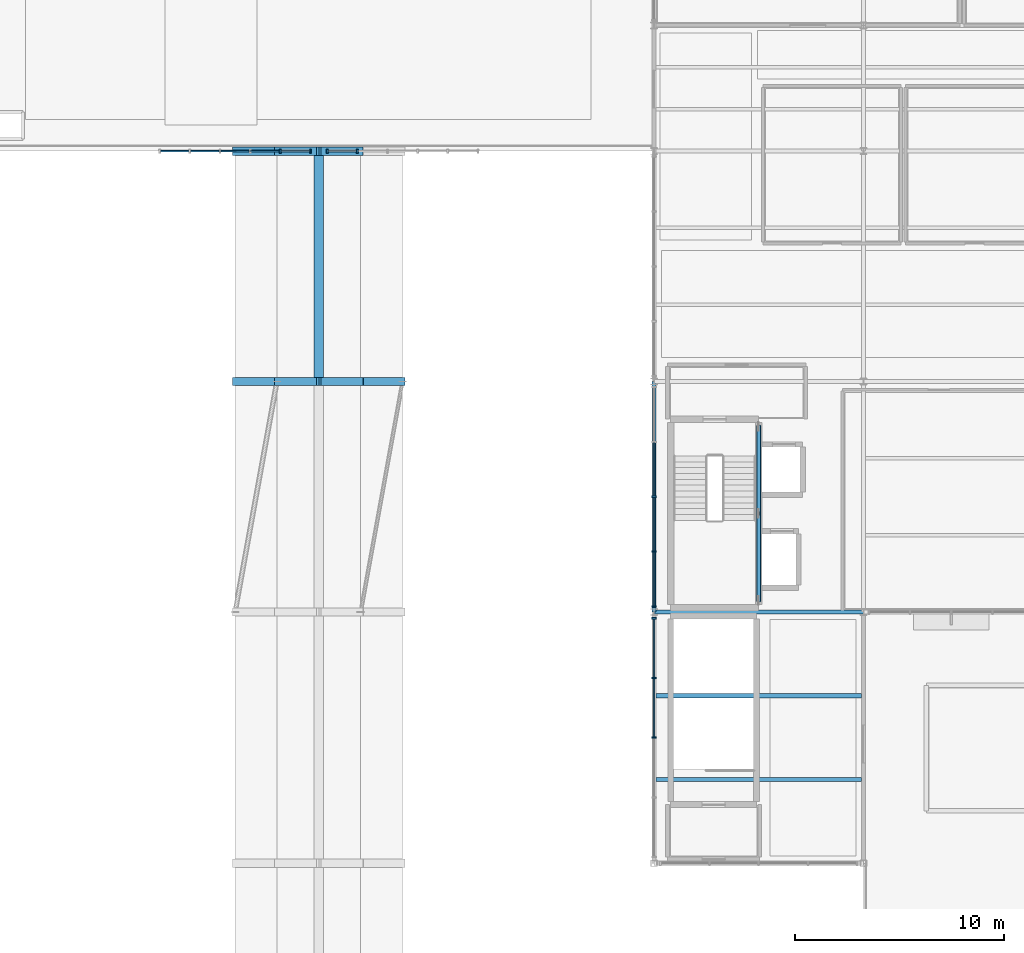
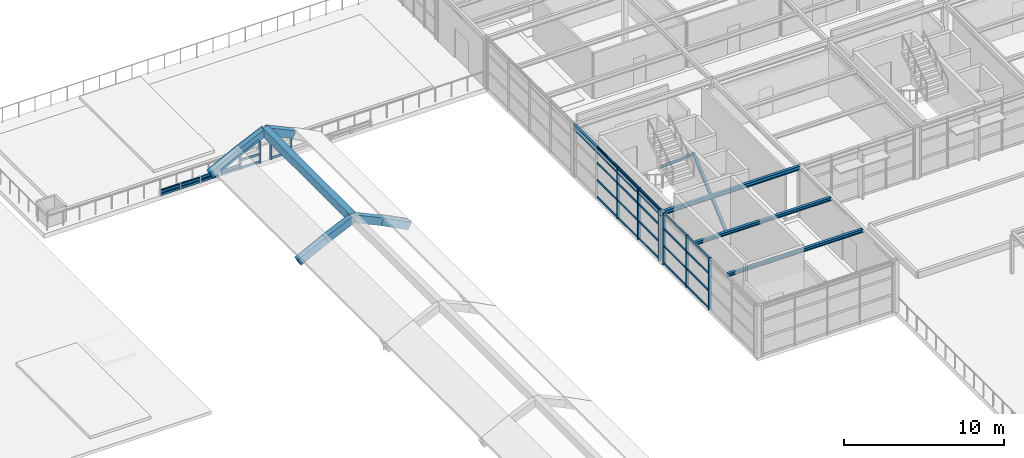
# One storey, part 21 of 49: 48 members, 12 beams, 4 elements without a shape of their own.
"""IFC4 building model written with IfcOpenShell, lengths in metres."""

from ifc_helpers import new_model, si_unit, direction, frame, origin, origin_2d, place, context, subcontext, project, spatial, rectangle, hollow_rectangle, i_section, extrude, material, layer, layer_set, material_profile, profile_set, type_object, element, aggregate, save


model = new_model("IFC4")

# Units and contexts
model_context = context("Model", 3, precision=1e-05, world=origin(), true_north=direction((0.0, 1.0)))
body_context = subcontext(model_context, "Body", "Model", "MODEL_VIEW")
ifc_project = project(units=[si_unit("LENGTHUNIT", "METRE"), si_unit("AREAUNIT", "SQUARE_METRE"), si_unit("VOLUMEUNIT", "CUBIC_METRE"), si_unit("PLANEANGLEUNIT", "RADIAN"), si_unit("MASSUNIT", "GRAM", prefix="KILO")], contexts=[model_context])

# Site, building, storey
site_placement = place(None, origin())
site = spatial("IfcSite", under=ifc_project, at=site_placement, CompositionType="ELEMENT")
building_placement = place(site_placement, origin())
building = spatial("IfcBuilding", under=site, at=building_placement, Name="Sitalva Quay Ferry Terminal", CompositionType="ELEMENT")
storey_placement = place(building_placement, frame((0.0, 0.0, 10.199951171875)))
storey = spatial("IfcBuildingStorey", under=building, at=storey_placement, Name="L03", CompositionType="ELEMENT", Elevation=10.199951171875)

# Beams
ifc_material_1 = material(Name="Concrete C40/50", Category="concrete")
ifc_material_profile_1 = material_profile(ifc_material_1, rectangle(XDim=0.39990234375, YDim=0.550048828125, at=origin_2d()), Name="RC400x550")
ifc_profile_set_1 = profile_set([ifc_material_profile_1], Name="Concrete C40/50")
beam_type_1 = type_object("IfcBeamType", Name="Beam_Arch_RC400x550", PredefinedType="BEAM", material=ifc_profile_set_1)
beam_1_placement = place(storey_placement, frame((54.0, 89.0, 0.395263671875), z_axis=(0.88942149916, 0.0, 0.457087953059), x_axis=(0.0, 1.0, 0.0)))
element("IfcBeam", 1, at=beam_1_placement, inside=storey, type_object=beam_type_1, Name="Vault V1 transverse arch rib 8.7", PredefinedType="BEAM", context=body_context, shape_type="SweptSolid", body=[
    extrude(rectangle(XDim=0.39990234375, YDim=0.550048828125, at=origin_2d()), origin(), (0.0, 0.0, 1.0), 2.24853515625),
])
for number, where, z_axis, x_axis, name in (
    (2, (56.0, 89.0, 1.4267578125), (0.908124785196, 0.0, 0.418699623253), (0.0, 1.0, 0.0), "Vault V1 transverse arch rib 8.8"),
    (3, (58.0, 89.0, 2.348876953125), (0.908124785196, 0.0, -0.418699623253), (0.0, 1.0, 0.0), "Vault V1 transverse arch rib 8.9"),
):
    element("IfcBeam", number, at=place(storey_placement, frame(where, z_axis=z_axis, x_axis=x_axis)), inside=storey, type_object=beam_type_1, Name=name, PredefinedType="BEAM", context=body_context, shape_type="SweptSolid", body=[
        extrude(rectangle(XDim=0.39990234375, YDim=0.550048828125, at=origin_2d()), origin(), (0.0, 0.0, 1.0), 2.202392578125),
    ])
for number, where, z_axis, x_axis, name in (
    (4, (60.0, 89.0, 1.423095703125), (0.88942149916, 0.0, -0.457087953059), (0.0, 1.0, 0.0), "Vault V1 transverse arch rib 8.10"),
    (5, (54.0, 100.0, 0.395263671875), (0.88942149916, 0.0, 0.457087953059), (0.0, 1.0, 0.0), "Vault V1 transverse arch rib 9.7"),
):
    element("IfcBeam", number, at=place(storey_placement, frame(where, z_axis=z_axis, x_axis=x_axis)), inside=storey, type_object=beam_type_1, Name=name, PredefinedType="BEAM", context=body_context, shape_type="SweptSolid", body=[
        extrude(rectangle(XDim=0.39990234375, YDim=0.550048828125, at=origin_2d()), origin(), (0.0, 0.0, 1.0), 2.24853515625),
    ])
for number, where, z_axis, x_axis, name in (
    (6, (56.0, 100.0, 1.4267578125), (0.908124785196, 0.0, 0.418699623253), (0.0, 1.0, 0.0), "Vault V1 transverse arch rib 9.8"),
    (7, (58.0, 100.0, 2.348876953125), (0.908124785196, 0.0, -0.418699623253), (0.0, 1.0, 0.0), "Vault V1 transverse arch rib 9.9"),
):
    element("IfcBeam", number, at=place(storey_placement, frame(where, z_axis=z_axis, x_axis=x_axis)), inside=storey, type_object=beam_type_1, Name=name, PredefinedType="BEAM", context=body_context, shape_type="SweptSolid", body=[
        extrude(rectangle(XDim=0.39990234375, YDim=0.550048828125, at=origin_2d()), origin(), (0.0, 0.0, 1.0), 2.202392578125),
    ])
ifc_material_2 = material(Name="Concrete C40/50", Category="concrete")
ifc_material_profile_2 = material_profile(ifc_material_2, rectangle(XDim=0.449951171875, YDim=0.64990234375, at=origin_2d()), Name="RC450x650")
ifc_profile_set_2 = profile_set([ifc_material_profile_2], Name="Concrete C40/50")
beam_type_2 = type_object("IfcBeamType", Name="Beam_Ridge_RC450x650", PredefinedType="BEAM", material=ifc_profile_set_2)
beam_2_placement = place(storey_placement, frame((58.0, 89.0, 2.31494140625), z_axis=(0.0, 1.0, 0.0), x_axis=(-1.0, 0.0, 0.0)))
element("IfcBeam", 8, at=beam_2_placement, inside=storey, type_object=beam_type_2, Name="Vault V1 pointed ridge beam bay 8", PredefinedType="BEAM", context=body_context, shape_type="SweptSolid", body=[
    extrude(rectangle(XDim=0.449951171875, YDim=0.64990234375, at=origin_2d()), origin(), (0.0, 0.0, 1.0), 11.0),
])
ifc_material_3 = material(Name="Structural Steel S355JR", Category="steel")
ifc_material_profile_3 = material_profile(ifc_material_3, i_section(OverallWidth=0.202880859375, OverallDepth=0.302978515625, WebThickness=0.007568359375, FlangeThickness=0.01318359375, FilletRadius=0.011962890625, at=origin_2d()), Name="W310x60")
ifc_profile_set_3 = profile_set([ifc_material_profile_3], Name="Structural Steel S355JR")
beam_type_3 = type_object("IfcBeamType", Name="Beam_W310x60", PredefinedType="BEAM", material=ifc_profile_set_3)
beam_3_placement = place(storey_placement, frame((74.0, 78.0, 3.7685546875), z_axis=(1.0, 0.0, 0.0), x_axis=(0.0, 1.0, 0.0)))
element("IfcBeam", 9, at=beam_3_placement, inside=storey, type_object=beam_type_3, Name="L03 Primary X girder 1197", PredefinedType="BEAM", context=body_context, shape_type="SweptSolid", body=[
    extrude(i_section(OverallWidth=0.202880859375, OverallDepth=0.302978515625, WebThickness=0.007568359375, FlangeThickness=0.01318359375, FilletRadius=0.011962890625, at=origin_2d()), origin(), (0.0, 0.0, 1.0), 10.0),
])
ifc_material_4 = material(Name="Structural Steel S355JR", Category="steel")
ifc_material_profile_4 = material_profile(ifc_material_4, i_section(OverallWidth=0.178955078125, OverallDepth=0.409912109375, WebThickness=0.0087890625, FlangeThickness=0.014404296875, FilletRadius=0.012939453125, at=origin_2d()), Name="W410x67")
ifc_profile_set_4 = profile_set([ifc_material_profile_4], Name="Structural Steel S355JR")
beam_type_4 = type_object("IfcBeamType", Name="Beam_W410x67", PredefinedType="BEAM", material=ifc_profile_set_4)
beam_4_placement = place(storey_placement, frame((74.0, 78.0, 3.715087890625), z_axis=(0.0, 1.0, 0.0), x_axis=(-1.0, 0.0, 0.0)))
element("IfcBeam", 10, at=beam_4_placement, inside=storey, type_object=beam_type_4, Name="L03 Primary Y girder 1225", PredefinedType="BEAM", context=body_context, shape_type="SweptSolid", body=[
    extrude(i_section(OverallWidth=0.178955078125, OverallDepth=0.409912109375, WebThickness=0.0087890625, FlangeThickness=0.014404296875, FilletRadius=0.012939453125, at=origin_2d()), origin(), (0.0, 0.0, 1.0), 11.0),
])

# Members
ifc_material_5 = material(Name="Structural Steel S355JR", Category="steel")
ifc_material_profile_5 = material_profile(ifc_material_5, hollow_rectangle(XDim=0.199951171875, YDim=0.199951171875, WallThickness=0.010009765625, InnerFilletRadius=0.010009765625, OuterFilletRadius=0.02001953125, at=origin_2d()), Name="SHS200x200x10")
ifc_profile_set_5 = profile_set([ifc_material_profile_5], Name="Structural Steel S355JR")
member_type_1 = type_object("IfcMemberType", Name="Brace_SHS200x10", PredefinedType="BRACE", material=ifc_profile_set_5)
member_1_placement = place(storey_placement, frame((79.0, 78.550048828125, 0.150146484375), z_axis=(0.0, 0.759912605464, 0.650025254938), x_axis=(-1.0, 0.0, 0.0)))
element("IfcMember", 11, at=member_1_placement, inside=storey, type_object=member_type_1, Name="Braced frame BF2 L03 chevron A", PredefinedType="BRACE", context=body_context, shape_type="SweptSolid", body=[
    extrude(hollow_rectangle(XDim=0.199951171875, YDim=0.199951171875, WallThickness=0.010009765625, InnerFilletRadius=0.010009765625, OuterFilletRadius=0.02001953125, at=origin_2d()), origin(), (0.0, 0.0, 1.0), 5.4609375),
])
member_2_placement = place(storey_placement, frame((79.0, 82.699951171875, 3.699951171875), z_axis=(0.0, 0.759931494254, -0.650003172331), x_axis=(-1.0, 0.0, 0.0)))
element("IfcMember", 12, at=member_2_placement, inside=storey, type_object=member_type_1, Name="Braced frame BF2 L03 chevron B", PredefinedType="BRACE", context=body_context, shape_type="SweptSolid", body=[
    extrude(hollow_rectangle(XDim=0.199951171875, YDim=0.199951171875, WallThickness=0.010009765625, InnerFilletRadius=0.010009765625, OuterFilletRadius=0.02001953125, at=origin_2d()), origin(), (0.0, 0.0, 1.0), 5.461181640625),
])

# Beams
ifc_material_6 = material(Name="Structural Steel S355JR", Category="steel")
ifc_material_profile_6 = material_profile(ifc_material_6, i_section(OverallWidth=0.201904296875, OverallDepth=0.2470703125, WebThickness=0.00732421875, FlangeThickness=0.010986328125, FilletRadius=0.010986328125, at=origin_2d()), Name="W250x49")
ifc_profile_set_6 = profile_set([ifc_material_profile_6], Name="Structural Steel S355JR")
beam_type_5 = type_object("IfcBeamType", Name="Joist_W250x49", PredefinedType="JOIST", material=ifc_profile_set_6)
for number, where, z_axis, x_axis, name in (
    (13, (74.10009765625, 70.0, 3.836669921875), (1.0, 0.0, 0.0), (0.0, 1.0, 0.0), "L03 Secondary joist 1200"),
    (14, (74.10009765625, 74.0, 3.836669921875), (1.0, 0.0, 0.0), (0.0, 1.0, 0.0), "L03 Secondary joist 1201"),
):
    element("IfcBeam", number, at=place(storey_placement, frame(where, z_axis=z_axis, x_axis=x_axis)), inside=storey, type_object=beam_type_5, Name=name, PredefinedType="JOIST", context=body_context, shape_type="SweptSolid", body=[
        extrude(i_section(OverallWidth=0.201904296875, OverallDepth=0.2470703125, WebThickness=0.00732421875, FlangeThickness=0.010986328125, FilletRadius=0.010986328125, at=origin_2d()), origin(), (0.0, 0.0, 1.0), 9.7998046875),
    ])

# Curtain wall, members
ifc_material_7 = material(Name="Anodised Aluminium & Low-E Glazing", Category="aluminium")
ifc_layer_1 = layer(ifc_material_7, 0.159912109375)
ifc_layer_set_1 = layer_set([ifc_layer_1], Name="Anodised Aluminium & Low-E Glazing")
curtain_wall_type_1 = type_object("IfcCurtainWallType", Name="CW_Office_Unitised", PredefinedType="USERDEFINED", material=ifc_layer_set_1)
curtain_wall_1_placement = place(storey_placement, origin())
curtain_wall_1 = element("IfcCurtainWall", 15, at=curtain_wall_1_placement, inside=storey, type_object=curtain_wall_type_1, Name="L03 north spine west glazing (CW-L03-091)", ObjectType="CURTAIN_WALL", PredefinedType="USERDEFINED")
ifc_material_8 = material(Name="Anodised Aluminium 6063-T6", Category="aluminium")
ifc_material_profile_7 = material_profile(ifc_material_8, rectangle(XDim=0.074951171875, YDim=0.219970703125, at=origin_2d()), Name="ALU75x220")
ifc_profile_set_7 = profile_set([ifc_material_profile_7], Name="Anodised Aluminium 6063-T6")
member_type_2 = type_object("IfcMemberType", Name="Mullion_Alu_75x160", PredefinedType="MULLION", material=ifc_profile_set_7)
member_3_placement = place(storey_placement, frame((74.0, 72.0, 0.0), z_axis=(0.0, 0.0, 1.0), x_axis=(0.0, 1.0, 0.0)))
member_3 = element("IfcMember", 16, at=member_3_placement, type_object=member_type_2, Name="CW-L03-091-M2", PredefinedType="MULLION", context=body_context, shape_type="SweptSolid", body=[
    extrude(rectangle(XDim=0.074951171875, YDim=0.219970703125, at=origin_2d()), origin(), (0.0, 0.0, 1.0), 3.9599609375),
])
member_4_placement = place(storey_placement, frame((74.0, 74.85009765625, 0.0), z_axis=(0.0, 0.0, 1.0), x_axis=(0.0, 1.0, 0.0)))
member_4 = element("IfcMember", 17, at=member_4_placement, type_object=member_type_2, Name="CW-L03-091-M3", PredefinedType="MULLION", context=body_context, shape_type="SweptSolid", body=[
    extrude(rectangle(XDim=0.074951171875, YDim=0.219970703125, at=origin_2d()), origin(), (0.0, 0.0, 1.0), 3.9599609375),
])
member_5_placement = place(storey_placement, frame((74.0, 77.699951171875, 0.0), z_axis=(0.0, 0.0, 1.0), x_axis=(0.0, 1.0, 0.0)))
member_5 = element("IfcMember", 18, at=member_5_placement, type_object=member_type_2, Name="CW-L03-091-M4", PredefinedType="MULLION", context=body_context, shape_type="SweptSolid", body=[
    extrude(rectangle(XDim=0.074951171875, YDim=0.219970703125, at=origin_2d()), origin(), (0.0, 0.0, 1.0), 3.9599609375),
])

curtain_wall_2_placement = place(storey_placement, origin())
curtain_wall_2 = element("IfcCurtainWall", 19, at=curtain_wall_2_placement, inside=storey, type_object=curtain_wall_type_1, Name="L03 maritime bridge west glazing (CW-L03-124)", ObjectType="CURTAIN_WALL", PredefinedType="USERDEFINED")
member_6_placement = place(storey_placement, frame((74.0, 78.260009765625, 0.0), z_axis=(0.0, 0.0, 1.0), x_axis=(0.0, 1.0, 0.0)))
member_6 = element("IfcMember", 20, at=member_6_placement, type_object=member_type_2, Name="CW-L03-124-M0", PredefinedType="MULLION", context=body_context, shape_type="SweptSolid", body=[
    extrude(rectangle(XDim=0.074951171875, YDim=0.219970703125, at=origin_2d()), origin(), (0.0, 0.0, 1.0), 3.920166015625),
])
member_7_placement = place(storey_placement, frame((74.0, 80.8798828125, 0.0), z_axis=(0.0, 0.0, 1.0), x_axis=(0.0, 1.0, 0.0)))
member_7 = element("IfcMember", 21, at=member_7_placement, type_object=member_type_2, Name="CW-L03-124-M1", PredefinedType="MULLION", context=body_context, shape_type="SweptSolid", body=[
    extrude(rectangle(XDim=0.074951171875, YDim=0.219970703125, at=origin_2d()), origin(), (0.0, 0.0, 1.0), 3.920166015625),
])
member_8_placement = place(storey_placement, frame((74.0, 83.5, 0.0), z_axis=(0.0, 0.0, 1.0), x_axis=(0.0, 1.0, 0.0)))
member_8 = element("IfcMember", 22, at=member_8_placement, type_object=member_type_2, Name="CW-L03-124-M2", PredefinedType="MULLION", context=body_context, shape_type="SweptSolid", body=[
    extrude(rectangle(XDim=0.074951171875, YDim=0.219970703125, at=origin_2d()), origin(), (0.0, 0.0, 1.0), 3.920166015625),
])

ifc_material_9 = material(Name="Anodised Aluminium & Low-E Glazing", Category="aluminium")
ifc_layer_2 = layer(ifc_material_9, 0.159912109375)
ifc_layer_set_2 = layer_set([ifc_layer_2], Name="Anodised Aluminium & Low-E Glazing")
curtain_wall_type_2 = type_object("IfcCurtainWallType", Name="CW_Gable_Unitised", PredefinedType="USERDEFINED", material=ifc_layer_set_2)
curtain_wall_3_placement = place(storey_placement, origin())
curtain_wall_3 = element("IfcCurtainWall", 23, at=curtain_wall_3_placement, inside=storey, type_object=curtain_wall_type_2, Name="V1 north clerestory pointed gable (CW-L03-010)", ObjectType="CURTAIN_WALL", PredefinedType="USERDEFINED")
ifc_material_10 = material(Name="Anodised Aluminium 6063-T6", Category="aluminium")
ifc_material_profile_8 = material_profile(ifc_material_10, rectangle(XDim=0.090087890625, YDim=0.199951171875, at=origin_2d()), Name="ALU90x200")
ifc_profile_set_8 = profile_set([ifc_material_profile_8], Name="Anodised Aluminium 6063-T6")
member_type_3 = type_object("IfcMemberType", Name="Mullion_Alu_90x200", PredefinedType="MULLION", material=ifc_profile_set_8)
member_9_placement = place(storey_placement, frame((56.159912109375, 100.0, 0.0), z_axis=(0.0, 0.0, 1.0), x_axis=(1.0, 0.0, 0.0)))
member_9 = element("IfcMember", 24, at=member_9_placement, type_object=member_type_3, Name="CW-L03-010-M4", PredefinedType="MULLION", context=body_context, shape_type="SweptSolid", body=[
    extrude(rectangle(XDim=0.090087890625, YDim=0.199951171875, at=origin_2d()), origin(), (0.0, 0.0, 1.0), 1.201904296875),
])
member_10_placement = place(storey_placement, frame((57.60009765625, 100.0, 0.0), z_axis=(0.0, 0.0, 1.0), x_axis=(1.0, 0.0, 0.0)))
member_10 = element("IfcMember", 25, at=member_10_placement, type_object=member_type_3, Name="CW-L03-010-M5", PredefinedType="MULLION", context=body_context, shape_type="SweptSolid", body=[
    extrude(rectangle(XDim=0.090087890625, YDim=0.199951171875, at=origin_2d()), origin(), (0.0, 0.0, 1.0), 1.86572265625),
])

curtain_wall_4_placement = place(storey_placement, origin())
curtain_wall_4 = element("IfcCurtainWall", 26, at=curtain_wall_4_placement, inside=storey, type_object=curtain_wall_type_2, Name="V1 north clerestory pointed gable (CW-L03-011)", ObjectType="CURTAIN_WALL", PredefinedType="USERDEFINED")
member_11_placement = place(storey_placement, frame((58.39990234375, 100.0, 0.0), z_axis=(0.0, 0.0, 1.0), x_axis=(1.0, 0.0, 0.0)))
member_11 = element("IfcMember", 27, at=member_11_placement, type_object=member_type_3, Name="CW-L03-011-M0", PredefinedType="MULLION", context=body_context, shape_type="SweptSolid", body=[
    extrude(rectangle(XDim=0.090087890625, YDim=0.199951171875, at=origin_2d()), origin(), (0.0, 0.0, 1.0), 1.86572265625),
])
member_12_placement = place(storey_placement, frame((59.840087890625, 100.0, 0.0), z_axis=(0.0, 0.0, 1.0), x_axis=(1.0, 0.0, 0.0)))
member_12 = element("IfcMember", 28, at=member_12_placement, type_object=member_type_3, Name="CW-L03-011-M1", PredefinedType="MULLION", context=body_context, shape_type="SweptSolid", body=[
    extrude(rectangle(XDim=0.090087890625, YDim=0.199951171875, at=origin_2d()), origin(), (0.0, 0.0, 1.0), 1.201904296875),
])

# Member
ifc_material_11 = material(Name="Anodised Aluminium 6063-T6", Category="aluminium")
ifc_material_profile_9 = material_profile(ifc_material_11, rectangle(XDim=0.074951171875, YDim=0.14990234375, at=origin_2d()), Name="ALU75x150")
ifc_profile_set_9 = profile_set([ifc_material_profile_9], Name="Anodised Aluminium 6063-T6")
member_type_4 = type_object("IfcMemberType", Name="Transom_Alu_75x140", PredefinedType="MULLION", material=ifc_profile_set_9)
member_13_placement = place(storey_placement, frame((74.0, 72.03759765625, 0.074951171875), z_axis=(0.0, 1.0, 0.0), x_axis=(-1.0, 0.0, 0.0)))
member_13 = element("IfcMember", 29, at=member_13_placement, type_object=member_type_4, Name="CW-L03-091-T2-0", ObjectType="TRANSOM", PredefinedType="USERDEFINED", context=body_context, shape_type="SweptSolid", body=[
    extrude(rectangle(XDim=0.074951171875, YDim=0.14990234375, at=origin_2d()), origin(), (0.0, 0.0, 1.0), 2.77490234375),
])

member_14_placement = place(storey_placement, frame((74.0, 72.03759765625, 1.39501953125), z_axis=(0.0, 1.0, 0.0), x_axis=(-1.0, 0.0, 0.0)))
member_14 = element("IfcMember", 30, at=member_14_placement, type_object=member_type_4, Name="CW-L03-091-T2-1", ObjectType="TRANSOM", PredefinedType="USERDEFINED", context=body_context, shape_type="SweptSolid", body=[
    extrude(rectangle(XDim=0.074951171875, YDim=0.14990234375, at=origin_2d()), origin(), (0.0, 0.0, 1.0), 2.77490234375),
])

member_15_placement = place(storey_placement, frame((74.0, 72.03759765625, 2.715087890625), z_axis=(0.0, 1.0, 0.0), x_axis=(-1.0, 0.0, 0.0)))
member_15 = element("IfcMember", 31, at=member_15_placement, type_object=member_type_4, Name="CW-L03-091-T2-2", ObjectType="TRANSOM", PredefinedType="USERDEFINED", context=body_context, shape_type="SweptSolid", body=[
    extrude(rectangle(XDim=0.074951171875, YDim=0.14990234375, at=origin_2d()), origin(), (0.0, 0.0, 1.0), 2.77490234375),
])

member_16_placement = place(storey_placement, frame((74.0, 72.03759765625, 3.885009765625), z_axis=(0.0, 1.0, 0.0), x_axis=(-1.0, 0.0, 0.0)))
member_16 = element("IfcMember", 32, at=member_16_placement, type_object=member_type_4, Name="CW-L03-091-T2-3", ObjectType="TRANSOM", PredefinedType="USERDEFINED", context=body_context, shape_type="SweptSolid", body=[
    extrude(rectangle(XDim=0.074951171875, YDim=0.14990234375, at=origin_2d()), origin(), (0.0, 0.0, 1.0), 2.77490234375),
])

member_17_placement = place(storey_placement, frame((74.0, 74.887451171875, 0.074951171875), z_axis=(0.0, 1.0, 0.0), x_axis=(-1.0, 0.0, 0.0)))
member_17 = element("IfcMember", 33, at=member_17_placement, type_object=member_type_4, Name="CW-L03-091-T3-0", ObjectType="TRANSOM", PredefinedType="USERDEFINED", context=body_context, shape_type="SweptSolid", body=[
    extrude(rectangle(XDim=0.074951171875, YDim=0.14990234375, at=origin_2d()), origin(), (0.0, 0.0, 1.0), 2.775146484375),
])

member_18_placement = place(storey_placement, frame((74.0, 74.887451171875, 1.39501953125), z_axis=(0.0, 1.0, 0.0), x_axis=(-1.0, 0.0, 0.0)))
member_18 = element("IfcMember", 34, at=member_18_placement, type_object=member_type_4, Name="CW-L03-091-T3-1", ObjectType="TRANSOM", PredefinedType="USERDEFINED", context=body_context, shape_type="SweptSolid", body=[
    extrude(rectangle(XDim=0.074951171875, YDim=0.14990234375, at=origin_2d()), origin(), (0.0, 0.0, 1.0), 2.775146484375),
])

member_19_placement = place(storey_placement, frame((74.0, 74.887451171875, 2.715087890625), z_axis=(0.0, 1.0, 0.0), x_axis=(-1.0, 0.0, 0.0)))
member_19 = element("IfcMember", 35, at=member_19_placement, type_object=member_type_4, Name="CW-L03-091-T3-2", ObjectType="TRANSOM", PredefinedType="USERDEFINED", context=body_context, shape_type="SweptSolid", body=[
    extrude(rectangle(XDim=0.074951171875, YDim=0.14990234375, at=origin_2d()), origin(), (0.0, 0.0, 1.0), 2.775146484375),
])

member_20_placement = place(storey_placement, frame((74.0, 74.887451171875, 3.885009765625), z_axis=(0.0, 1.0, 0.0), x_axis=(-1.0, 0.0, 0.0)))
member_20 = element("IfcMember", 36, at=member_20_placement, type_object=member_type_4, Name="CW-L03-091-T3-3", ObjectType="TRANSOM", PredefinedType="USERDEFINED", context=body_context, shape_type="SweptSolid", body=[
    extrude(rectangle(XDim=0.074951171875, YDim=0.14990234375, at=origin_2d()), origin(), (0.0, 0.0, 1.0), 2.775146484375),
])

aggregate(curtain_wall_1, [member_3, member_4, member_5, member_13, member_14, member_15, member_16, member_17, member_18, member_19, member_20])

member_21_placement = place(storey_placement, frame((74.0, 78.297607421875, 0.074951171875), z_axis=(0.0, 1.0, 0.0), x_axis=(-1.0, 0.0, 0.0)))
member_21 = element("IfcMember", 37, at=member_21_placement, type_object=member_type_4, Name="CW-L03-124-T0-0", ObjectType="TRANSOM", PredefinedType="USERDEFINED", context=body_context, shape_type="SweptSolid", body=[
    extrude(rectangle(XDim=0.074951171875, YDim=0.14990234375, at=origin_2d()), origin(), (0.0, 0.0, 1.0), 2.544921875),
])

member_22_placement = place(storey_placement, frame((74.0, 78.297607421875, 1.3818359375), z_axis=(0.0, 1.0, 0.0), x_axis=(-1.0, 0.0, 0.0)))
member_22 = element("IfcMember", 38, at=member_22_placement, type_object=member_type_4, Name="CW-L03-124-T0-1", ObjectType="TRANSOM", PredefinedType="USERDEFINED", context=body_context, shape_type="SweptSolid", body=[
    extrude(rectangle(XDim=0.074951171875, YDim=0.14990234375, at=origin_2d()), origin(), (0.0, 0.0, 1.0), 2.544921875),
])

member_23_placement = place(storey_placement, frame((74.0, 78.297607421875, 2.6884765625), z_axis=(0.0, 1.0, 0.0), x_axis=(-1.0, 0.0, 0.0)))
member_23 = element("IfcMember", 39, at=member_23_placement, type_object=member_type_4, Name="CW-L03-124-T0-2", ObjectType="TRANSOM", PredefinedType="USERDEFINED", context=body_context, shape_type="SweptSolid", body=[
    extrude(rectangle(XDim=0.074951171875, YDim=0.14990234375, at=origin_2d()), origin(), (0.0, 0.0, 1.0), 2.544921875),
])

member_24_placement = place(storey_placement, frame((74.0, 78.297607421875, 3.844970703125), z_axis=(0.0, 1.0, 0.0), x_axis=(-1.0, 0.0, 0.0)))
member_24 = element("IfcMember", 40, at=member_24_placement, type_object=member_type_4, Name="CW-L03-124-T0-3", ObjectType="TRANSOM", PredefinedType="USERDEFINED", context=body_context, shape_type="SweptSolid", body=[
    extrude(rectangle(XDim=0.074951171875, YDim=0.14990234375, at=origin_2d()), origin(), (0.0, 0.0, 1.0), 2.544921875),
])

member_25_placement = place(storey_placement, frame((74.0, 80.91748046875, 0.074951171875), z_axis=(0.0, 1.0, 0.0), x_axis=(-1.0, 0.0, 0.0)))
member_25 = element("IfcMember", 41, at=member_25_placement, type_object=member_type_4, Name="CW-L03-124-T1-0", ObjectType="TRANSOM", PredefinedType="USERDEFINED", context=body_context, shape_type="SweptSolid", body=[
    extrude(rectangle(XDim=0.074951171875, YDim=0.14990234375, at=origin_2d()), origin(), (0.0, 0.0, 1.0), 2.544921875),
])

member_26_placement = place(storey_placement, frame((74.0, 80.91748046875, 1.3818359375), z_axis=(0.0, 1.0, 0.0), x_axis=(-1.0, 0.0, 0.0)))
member_26 = element("IfcMember", 42, at=member_26_placement, type_object=member_type_4, Name="CW-L03-124-T1-1", ObjectType="TRANSOM", PredefinedType="USERDEFINED", context=body_context, shape_type="SweptSolid", body=[
    extrude(rectangle(XDim=0.074951171875, YDim=0.14990234375, at=origin_2d()), origin(), (0.0, 0.0, 1.0), 2.544921875),
])

member_27_placement = place(storey_placement, frame((74.0, 80.91748046875, 2.6884765625), z_axis=(0.0, 1.0, 0.0), x_axis=(-1.0, 0.0, 0.0)))
member_27 = element("IfcMember", 43, at=member_27_placement, type_object=member_type_4, Name="CW-L03-124-T1-2", ObjectType="TRANSOM", PredefinedType="USERDEFINED", context=body_context, shape_type="SweptSolid", body=[
    extrude(rectangle(XDim=0.074951171875, YDim=0.14990234375, at=origin_2d()), origin(), (0.0, 0.0, 1.0), 2.544921875),
])

member_28_placement = place(storey_placement, frame((74.0, 80.91748046875, 3.844970703125), z_axis=(0.0, 1.0, 0.0), x_axis=(-1.0, 0.0, 0.0)))
member_28 = element("IfcMember", 44, at=member_28_placement, type_object=member_type_4, Name="CW-L03-124-T1-3", ObjectType="TRANSOM", PredefinedType="USERDEFINED", context=body_context, shape_type="SweptSolid", body=[
    extrude(rectangle(XDim=0.074951171875, YDim=0.14990234375, at=origin_2d()), origin(), (0.0, 0.0, 1.0), 2.544921875),
])

member_29_placement = place(storey_placement, frame((74.0, 83.53759765625, 0.074951171875), z_axis=(0.0, 1.0, 0.0), x_axis=(-1.0, 0.0, 0.0)))
member_29 = element("IfcMember", 45, at=member_29_placement, type_object=member_type_4, Name="CW-L03-124-T2-0", ObjectType="TRANSOM", PredefinedType="USERDEFINED", context=body_context, shape_type="SweptSolid", body=[
    extrude(rectangle(XDim=0.074951171875, YDim=0.14990234375, at=origin_2d()), origin(), (0.0, 0.0, 1.0), 2.544921875),
])

member_30_placement = place(storey_placement, frame((74.0, 83.53759765625, 1.3818359375), z_axis=(0.0, 1.0, 0.0), x_axis=(-1.0, 0.0, 0.0)))
member_30 = element("IfcMember", 46, at=member_30_placement, type_object=member_type_4, Name="CW-L03-124-T2-1", ObjectType="TRANSOM", PredefinedType="USERDEFINED", context=body_context, shape_type="SweptSolid", body=[
    extrude(rectangle(XDim=0.074951171875, YDim=0.14990234375, at=origin_2d()), origin(), (0.0, 0.0, 1.0), 2.544921875),
])

member_31_placement = place(storey_placement, frame((74.0, 83.53759765625, 2.6884765625), z_axis=(0.0, 1.0, 0.0), x_axis=(-1.0, 0.0, 0.0)))
member_31 = element("IfcMember", 47, at=member_31_placement, type_object=member_type_4, Name="CW-L03-124-T2-2", ObjectType="TRANSOM", PredefinedType="USERDEFINED", context=body_context, shape_type="SweptSolid", body=[
    extrude(rectangle(XDim=0.074951171875, YDim=0.14990234375, at=origin_2d()), origin(), (0.0, 0.0, 1.0), 2.544921875),
])

member_32_placement = place(storey_placement, frame((74.0, 83.53759765625, 3.844970703125), z_axis=(0.0, 1.0, 0.0), x_axis=(-1.0, 0.0, 0.0)))
member_32 = element("IfcMember", 48, at=member_32_placement, type_object=member_type_4, Name="CW-L03-124-T2-3", ObjectType="TRANSOM", PredefinedType="USERDEFINED", context=body_context, shape_type="SweptSolid", body=[
    extrude(rectangle(XDim=0.074951171875, YDim=0.14990234375, at=origin_2d()), origin(), (0.0, 0.0, 1.0), 2.544921875),
])

aggregate(curtain_wall_2, [member_6, member_7, member_8, member_21, member_22, member_23, member_24, member_25, member_26, member_27, member_28, member_29, member_30, member_31, member_32])

ifc_material_12 = material(Name="Anodised Aluminium 6063-T6", Category="aluminium")
ifc_material_profile_10 = material_profile(ifc_material_12, rectangle(XDim=0.080078125, YDim=0.1650390625, at=origin_2d()), Name="ALU80x165")
ifc_profile_set_10 = profile_set([ifc_material_profile_10], Name="Anodised Aluminium 6063-T6")
member_type_5 = type_object("IfcMemberType", Name="Transom_Alu_80x165", PredefinedType="MULLION", material=ifc_profile_set_10)
member_33_placement = place(storey_placement, frame((50.445068359375, 100.0, 0.08251953125), z_axis=(1.0, 0.0, 0.0), x_axis=(0.0, 1.0, 0.0)))
member_33 = element("IfcMember", 49, at=member_33_placement, type_object=member_type_5, Name="CW-L03-010-T0-0", ObjectType="TRANSOM", PredefinedType="USERDEFINED", context=body_context, shape_type="SweptSolid", body=[
    extrude(rectangle(XDim=0.080078125, YDim=0.1650390625, at=origin_2d()), origin(), (0.0, 0.0, 1.0), 1.349853515625),
])

member_34_placement = place(storey_placement, frame((50.445068359375, 100.0, 0.3076171875), z_axis=(1.0, 0.0, 0.0), x_axis=(0.0, 1.0, 0.0)))
member_34 = element("IfcMember", 50, at=member_34_placement, type_object=member_type_5, Name="CW-L03-010-T0-1", ObjectType="TRANSOM", PredefinedType="USERDEFINED", context=body_context, shape_type="SweptSolid", body=[
    extrude(rectangle(XDim=0.080078125, YDim=0.1650390625, at=origin_2d()), origin(), (0.0, 0.0, 1.0), 1.349853515625),
])

member_35_placement = place(storey_placement, frame((50.445068359375, 100.0, 0.367431640625), z_axis=(1.0, 0.0, 0.0), x_axis=(0.0, 1.0, 0.0)))
member_35 = element("IfcMember", 51, at=member_35_placement, type_object=member_type_5, Name="CW-L03-010-T0-2", ObjectType="TRANSOM", PredefinedType="USERDEFINED", context=body_context, shape_type="SweptSolid", body=[
    extrude(rectangle(XDim=0.080078125, YDim=0.1650390625, at=origin_2d()), origin(), (0.0, 0.0, 1.0), 1.349853515625),
])

member_36_placement = place(storey_placement, frame((51.885009765625, 100.0, 0.08251953125), z_axis=(1.0, 0.0, 0.0), x_axis=(0.0, 1.0, 0.0)))
member_36 = element("IfcMember", 52, at=member_36_placement, type_object=member_type_5, Name="CW-L03-010-T1-0", ObjectType="TRANSOM", PredefinedType="USERDEFINED", context=body_context, shape_type="SweptSolid", body=[
    extrude(rectangle(XDim=0.080078125, YDim=0.1650390625, at=origin_2d()), origin(), (0.0, 0.0, 1.0), 1.35009765625),
])

member_37_placement = place(storey_placement, frame((51.885009765625, 100.0, 0.3076171875), z_axis=(1.0, 0.0, 0.0), x_axis=(0.0, 1.0, 0.0)))
member_37 = element("IfcMember", 53, at=member_37_placement, type_object=member_type_5, Name="CW-L03-010-T1-1", ObjectType="TRANSOM", PredefinedType="USERDEFINED", context=body_context, shape_type="SweptSolid", body=[
    extrude(rectangle(XDim=0.080078125, YDim=0.1650390625, at=origin_2d()), origin(), (0.0, 0.0, 1.0), 1.35009765625),
])

member_38_placement = place(storey_placement, frame((51.885009765625, 100.0, 0.367431640625), z_axis=(1.0, 0.0, 0.0), x_axis=(0.0, 1.0, 0.0)))
member_38 = element("IfcMember", 54, at=member_38_placement, type_object=member_type_5, Name="CW-L03-010-T1-2", ObjectType="TRANSOM", PredefinedType="USERDEFINED", context=body_context, shape_type="SweptSolid", body=[
    extrude(rectangle(XDim=0.080078125, YDim=0.1650390625, at=origin_2d()), origin(), (0.0, 0.0, 1.0), 1.35009765625),
])

member_39_placement = place(storey_placement, frame((53.324951171875, 100.0, 0.08251953125), z_axis=(1.0, 0.0, 0.0), x_axis=(0.0, 1.0, 0.0)))
member_39 = element("IfcMember", 55, at=member_39_placement, type_object=member_type_5, Name="CW-L03-010-T2-0", ObjectType="TRANSOM", PredefinedType="USERDEFINED", context=body_context, shape_type="SweptSolid", body=[
    extrude(rectangle(XDim=0.080078125, YDim=0.1650390625, at=origin_2d()), origin(), (0.0, 0.0, 1.0), 1.35009765625),
])

member_40_placement = place(storey_placement, frame((53.324951171875, 100.0, 0.3076171875), z_axis=(1.0, 0.0, 0.0), x_axis=(0.0, 1.0, 0.0)))
member_40 = element("IfcMember", 56, at=member_40_placement, type_object=member_type_5, Name="CW-L03-010-T2-1", ObjectType="TRANSOM", PredefinedType="USERDEFINED", context=body_context, shape_type="SweptSolid", body=[
    extrude(rectangle(XDim=0.080078125, YDim=0.1650390625, at=origin_2d()), origin(), (0.0, 0.0, 1.0), 1.35009765625),
])

member_41_placement = place(storey_placement, frame((53.324951171875, 100.0, 0.367431640625), z_axis=(0.999887383362, 0.0, 0.015007351324), x_axis=(0.0, 1.0, 0.0)))
member_41 = element("IfcMember", 57, at=member_41_placement, type_object=member_type_5, Name="CW-L03-010-T2-2", ObjectType="TRANSOM", PredefinedType="USERDEFINED", context=body_context, shape_type="SweptSolid", body=[
    extrude(rectangle(XDim=0.080078125, YDim=0.1650390625, at=origin_2d()), origin(), (0.0, 0.0, 1.0), 1.350341796875),
])

member_42_placement = place(storey_placement, frame((54.764892578125, 100.0, 0.08251953125), z_axis=(1.0, 0.0, 0.0), x_axis=(0.0, 1.0, 0.0)))
member_42 = element("IfcMember", 58, at=member_42_placement, type_object=member_type_5, Name="CW-L03-010-T3-0", ObjectType="TRANSOM", PredefinedType="USERDEFINED", context=body_context, shape_type="SweptSolid", body=[
    extrude(rectangle(XDim=0.080078125, YDim=0.1650390625, at=origin_2d()), origin(), (0.0, 0.0, 1.0), 1.35009765625),
])

member_43_placement = place(storey_placement, frame((54.764892578125, 100.0, 0.317626953125), z_axis=(1.0, 0.0, 0.0), x_axis=(0.0, 1.0, 0.0)))
member_43 = element("IfcMember", 59, at=member_43_placement, type_object=member_type_5, Name="CW-L03-010-T3-1", ObjectType="TRANSOM", PredefinedType="USERDEFINED", context=body_context, shape_type="SweptSolid", body=[
    extrude(rectangle(XDim=0.080078125, YDim=0.1650390625, at=origin_2d()), origin(), (0.0, 0.0, 1.0), 1.35009765625),
])

member_44_placement = place(storey_placement, frame((54.764892578125, 100.0, 0.3876953125), z_axis=(0.879186524135, 0.0, 0.476477760006), x_axis=(0.0, 1.0, 0.0)))
member_44 = element("IfcMember", 60, at=member_44_placement, type_object=member_type_5, Name="CW-L03-010-T3-2", ObjectType="TRANSOM", PredefinedType="USERDEFINED", context=body_context, shape_type="SweptSolid", body=[
    extrude(rectangle(XDim=0.080078125, YDim=0.1650390625, at=origin_2d()), origin(), (0.0, 0.0, 1.0), 1.53564453125),
])

member_45_placement = place(storey_placement, frame((56.205078125, 100.0, 0.08251953125), z_axis=(1.0, 0.0, 0.0), x_axis=(0.0, 1.0, 0.0)))
member_45 = element("IfcMember", 61, at=member_45_placement, type_object=member_type_5, Name="CW-L03-010-T4-0", ObjectType="TRANSOM", PredefinedType="USERDEFINED", context=body_context, shape_type="SweptSolid", body=[
    extrude(rectangle(XDim=0.080078125, YDim=0.1650390625, at=origin_2d()), origin(), (0.0, 0.0, 1.0), 1.349853515625),
])

member_46_placement = place(storey_placement, frame((56.205078125, 100.0, 0.683349609375), z_axis=(1.0, 0.0, 0.0), x_axis=(0.0, 1.0, 0.0)))
member_46 = element("IfcMember", 62, at=member_46_placement, type_object=member_type_5, Name="CW-L03-010-T4-1", ObjectType="TRANSOM", PredefinedType="USERDEFINED", context=body_context, shape_type="SweptSolid", body=[
    extrude(rectangle(XDim=0.080078125, YDim=0.1650390625, at=origin_2d()), origin(), (0.0, 0.0, 1.0), 1.349853515625),
])

member_47_placement = place(storey_placement, frame((56.205078125, 100.0, 1.119384765625), z_axis=(0.897361556222, 0.0, 0.441296088148), x_axis=(0.0, 1.0, 0.0)))
member_47 = element("IfcMember", 63, at=member_47_placement, type_object=member_type_5, Name="CW-L03-010-T4-2", ObjectType="TRANSOM", PredefinedType="USERDEFINED", context=body_context, shape_type="SweptSolid", body=[
    extrude(rectangle(XDim=0.080078125, YDim=0.1650390625, at=origin_2d()), origin(), (0.0, 0.0, 1.0), 1.504150390625),
])

aggregate(curtain_wall_3, [member_9, member_10, member_33, member_34, member_35, member_36, member_37, member_38, member_39, member_40, member_41, member_42, member_43, member_44, member_45, member_46, member_47])

member_48_placement = place(storey_placement, frame((58.445068359375, 100.0, 0.08251953125), z_axis=(1.0, 0.0, 0.0), x_axis=(0.0, 1.0, 0.0)))
member_48 = element("IfcMember", 64, at=member_48_placement, type_object=member_type_5, Name="CW-L03-011-T0-0", ObjectType="TRANSOM", PredefinedType="USERDEFINED", context=body_context, shape_type="SweptSolid", body=[
    extrude(rectangle(XDim=0.080078125, YDim=0.1650390625, at=origin_2d()), origin(), (0.0, 0.0, 1.0), 1.349853515625),
])

aggregate(curtain_wall_4, [member_11, member_12, member_48])

save(model, "model.ifc")
